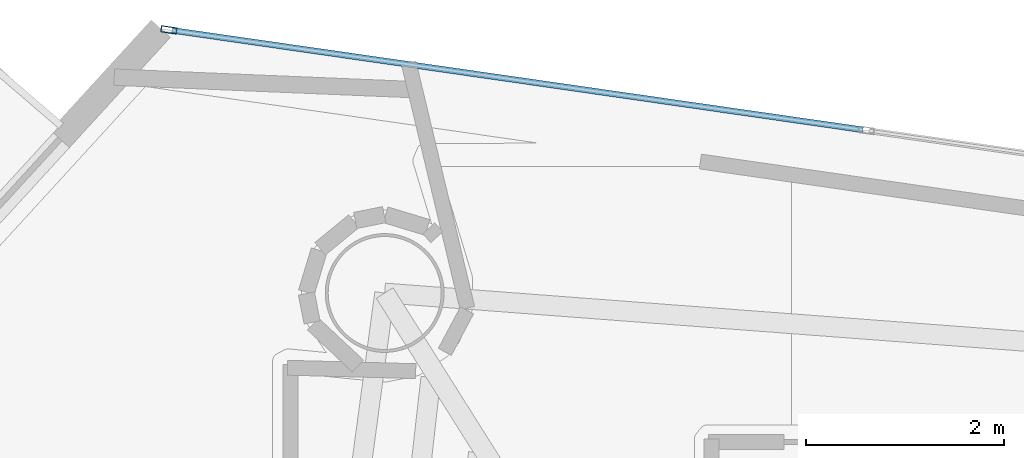
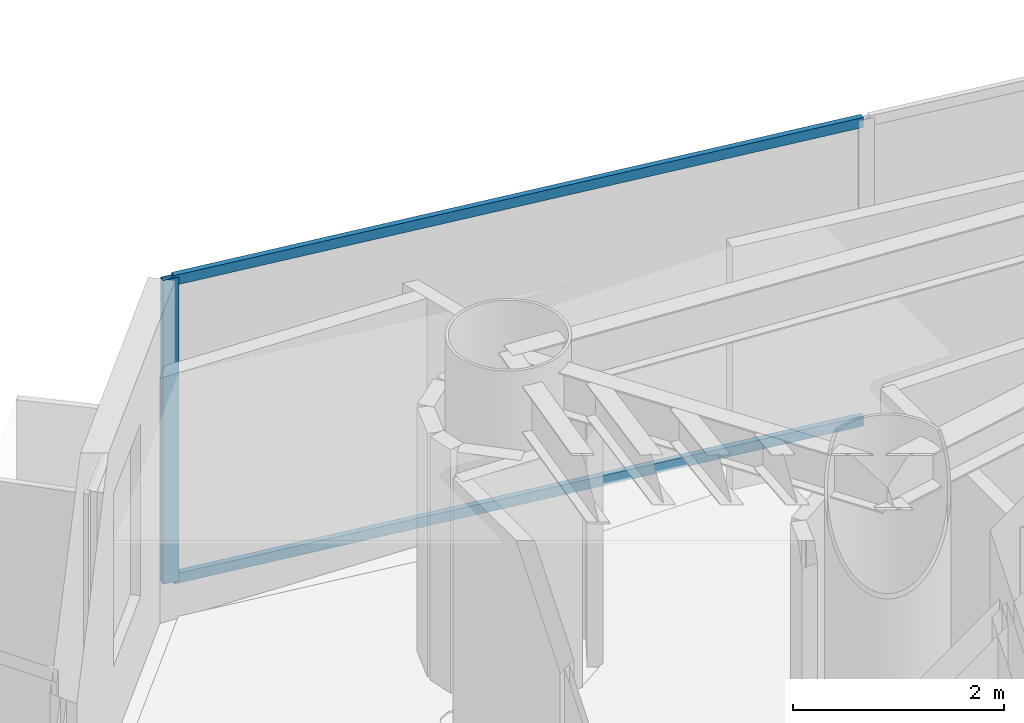
# One storey, part 16 of 23: 3 members, 1 element without a shape of its own.
"""IFC4 building model written with IfcOpenShell, lengths in metres."""

from ifc_helpers import new_model, si_unit, direction, frame, origin, origin_2d, place, context, subcontext, project, spatial, hollow_rectangle, extrude, material, layer, layer_set, material_profile, profile_set, type_object, element, aggregate, save


model = new_model("IFC4")

# Units and contexts
model_context = context("Model", 3, precision=1e-05, world=origin(), true_north=direction((0.0, 1.0)))
body_context = subcontext(model_context, "Body", "Model", "MODEL_VIEW")
ifc_project = project(units=[si_unit("LENGTHUNIT", "METRE"), si_unit("AREAUNIT", "SQUARE_METRE"), si_unit("VOLUMEUNIT", "CUBIC_METRE"), si_unit("PLANEANGLEUNIT", "RADIAN"), si_unit("MASSUNIT", "GRAM", prefix="KILO")], contexts=[model_context])

# Site, building, storey
site_placement = place(None, origin())
site = spatial("IfcSite", under=ifc_project, at=site_placement, CompositionType="ELEMENT")
building_placement = place(site_placement, origin())
building = spatial("IfcBuilding", under=site, at=building_placement, Name="Qianvela Tower", CompositionType="ELEMENT")
storey_placement = place(building_placement, frame((0.0, 0.0, 215.10009765625)))
storey = spatial("IfcBuildingStorey", under=building, at=storey_placement, Name="L55", CompositionType="ELEMENT", Elevation=215.10009765625)

# Curtain wall, members
ifc_material_1 = material(Name="Anodised Architectural Aluminium and Low-E Glass", Category="aluminium")
ifc_layer = layer(ifc_material_1, 0.159912109375)
ifc_layer_set = layer_set([ifc_layer], Name="Anodised Architectural Aluminium and Low-E Glass")
curtain_wall_type = type_object("IfcCurtainWallType", Name="CW-COLIV-Z56", PredefinedType="USERDEFINED", material=ifc_layer_set)
curtain_wall_placement = place(storey_placement, origin())
curtain_wall = element("IfcCurtainWall", 1, at=curtain_wall_placement, inside=storey, type_object=curtain_wall_type, Name="L55 CW-COLIV-Z56 Curtain Wall 02C", ObjectType="CURTAIN_WALL_SYSTEM", PredefinedType="USERDEFINED")
ifc_material_2 = material(Name="Anodised Architectural Aluminium 6063-T6", Category="aluminium")
ifc_material_profile_1 = material_profile(ifc_material_2, hollow_rectangle(XDim=0.06494140625, YDim=0.159912109375, WallThickness=0.0048828125, at=origin_2d()), Name="ALU-MULL-65x160")
ifc_profile_set_1 = profile_set([ifc_material_profile_1], Name="Anodised Architectural Aluminium 6063-T6")
member_type_1 = type_object("IfcMemberType", Name="CW-COLIV-Z56-MULL", PredefinedType="MULLION", material=ifc_profile_set_1)
member_1_placement = place(storey_placement, frame((24.252197265625, 39.648681640625, 0.0), z_axis=(0.0, 0.0, 1.0), x_axis=(-0.142508771551, -0.989793539093, 0.0)))
member_1 = element("IfcMember", 2, at=member_1_placement, type_object=member_type_1, Name="CW-5 mullion 3", PredefinedType="MULLION", context=body_context, shape_type="SweptSolid", body=[
    extrude(hollow_rectangle(XDim=0.06494140625, YDim=0.159912109375, WallThickness=0.0048828125, at=origin_2d()), origin(), (0.0, 0.0, 1.0), 3.52001953125),
])
ifc_material_3 = material(Name="Anodised Architectural Aluminium 6063-T6", Category="aluminium")
ifc_material_profile_2 = material_profile(ifc_material_3, hollow_rectangle(XDim=0.06005859375, YDim=0.114990234375, WallThickness=0.00390625, at=origin_2d()), Name="ALU-TRAN-60x115")
ifc_profile_set_2 = profile_set([ifc_material_profile_2], Name="Anodised Architectural Aluminium 6063-T6")
member_type_2 = type_object("IfcMemberType", Name="CW-COLIV-Z56-TRAN", PredefinedType="USERDEFINED", material=ifc_profile_set_2)
member_2_placement = place(storey_placement, frame((31.259765625, 38.6396484375, 0.02978515625), z_axis=(-0.989791601205, 0.142522230491, 0.0), x_axis=(-0.142522230491, -0.989791601205, 0.0)))
member_2 = element("IfcMember", 3, at=member_2_placement, type_object=member_type_2, Name="CW-5 transom 2.1", ObjectType="TRANSOM", PredefinedType="USERDEFINED", context=body_context, shape_type="SweptSolid", body=[
    extrude(hollow_rectangle(XDim=0.06005859375, YDim=0.114990234375, WallThickness=0.00390625, at=origin_2d()), origin(), (0.0, 0.0, 1.0), 7.04736328125),
])
member_3_placement = place(storey_placement, frame((31.259765625, 38.6396484375, 3.489990234375), z_axis=(-0.989791601205, 0.142522230491, 0.0), x_axis=(-0.142522230491, -0.989791601205, 0.0)))
member_3 = element("IfcMember", 4, at=member_3_placement, type_object=member_type_2, Name="CW-5 transom 2.2", ObjectType="TRANSOM", PredefinedType="USERDEFINED", context=body_context, shape_type="SweptSolid", body=[
    extrude(hollow_rectangle(XDim=0.06005859375, YDim=0.114990234375, WallThickness=0.00390625, at=origin_2d()), origin(), (0.0, 0.0, 1.0), 7.04736328125),
])
aggregate(curtain_wall, [member_1, member_2, member_3])

save(model, "model.ifc")
